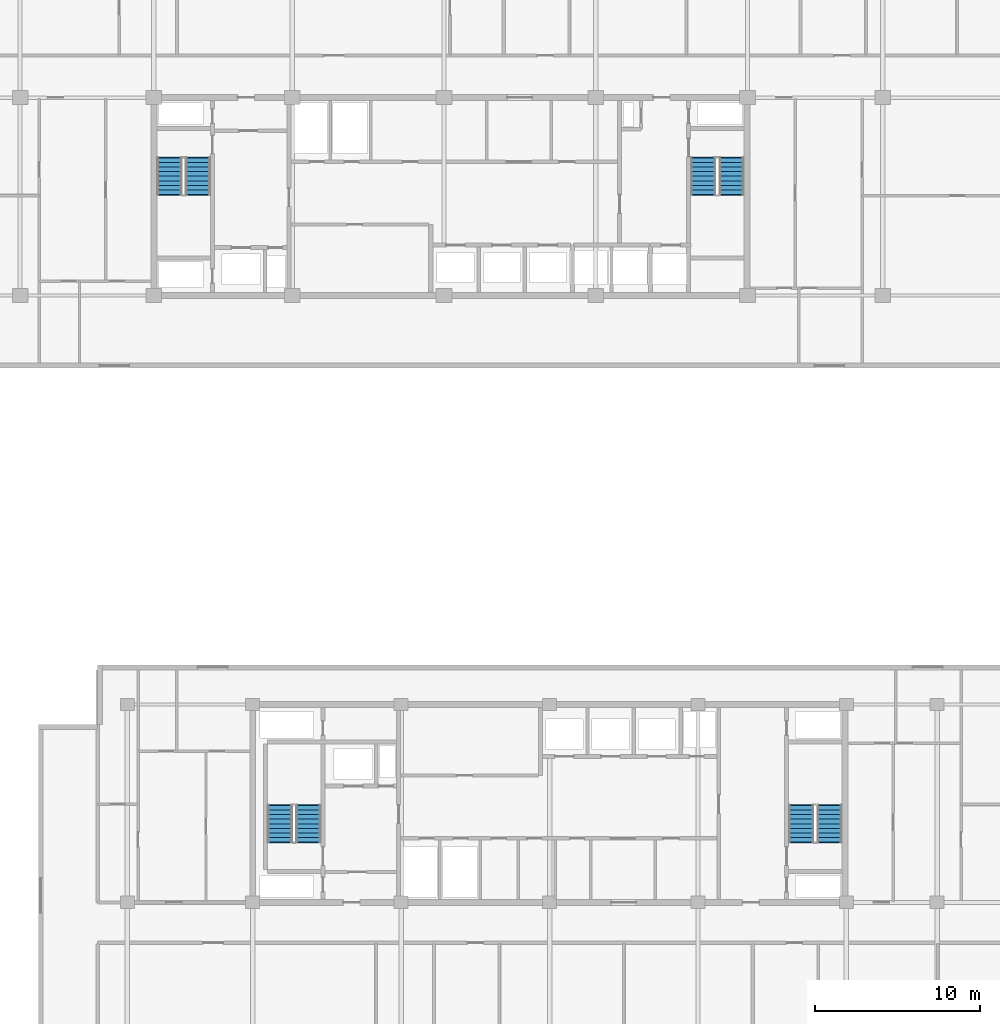
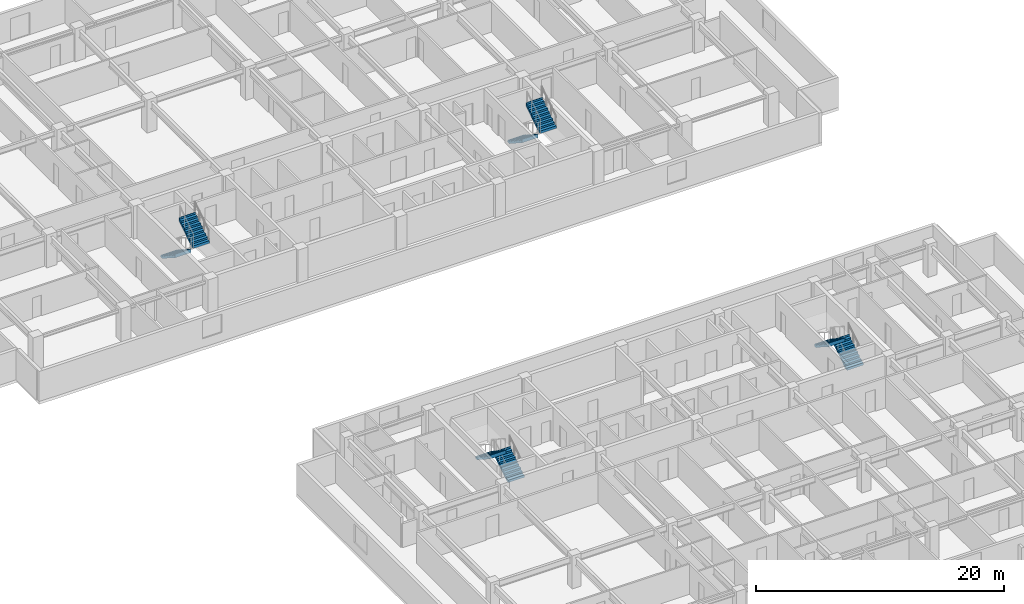
# One storey, part 16 of 21: 8 stair flights, 4 elements without a shape of their own.
"""IFC4 building model written with IfcOpenShell, lengths in metres."""

from ifc_helpers import new_model, si_unit, direction, frame, origin, place, context, subcontext, project, spatial, polyline, outline, extrude, material, type_object, element, aggregate, save


model = new_model("IFC4")

# Units and contexts
model_context = context("Model", 3, precision=1e-05, world=origin(), true_north=direction((0.0, 1.0)))
body_context = subcontext(model_context, "Body", "Model", "MODEL_VIEW")
ifc_project = project(units=[si_unit("LENGTHUNIT", "METRE"), si_unit("AREAUNIT", "SQUARE_METRE"), si_unit("VOLUMEUNIT", "CUBIC_METRE"), si_unit("PLANEANGLEUNIT", "RADIAN"), si_unit("MASSUNIT", "GRAM", prefix="KILO")], contexts=[model_context])

# Site, building, storey
site_placement = place(None, origin())
site = spatial("IfcSite", under=ifc_project, at=site_placement, CompositionType="ELEMENT")
building_placement = place(site_placement, origin())
building = spatial("IfcBuilding", under=site, at=building_placement, Name="Korimba Cascade Residences", CompositionType="ELEMENT")
storey_placement = place(building_placement, frame((0.0, 0.0, 116.550048828125)))
storey = spatial("IfcBuildingStorey", under=building, at=storey_placement, Name="L33", CompositionType="ELEMENT", Elevation=116.550048828125)

# Stair, stair flights
ifc_material = material(Name="Concrete C50/60", Category="concrete")
stair_type_1 = type_object("IfcStairType", Name="STR-W1-18R-1806", PredefinedType="HALF_TURN_STAIR", material=ifc_material)
stair_1_placement = place(storey_placement, origin())
stair_1 = element("IfcStair", 1, at=stair_1_placement, inside=storey, type_object=stair_type_1, Name="L33 Tower 1 West Fire Stair ST-W1", PredefinedType="HALF_TURN_STAIR")
stair_flight_type = type_object("IfcStairFlightType", Name="STF-DL-18R-1806-1520", PredefinedType="STRAIGHT", material=ifc_material)
stair_flight_1_placement = place(storey_placement, frame((77.06005859375, 63.550048828125, 0.0), z_axis=(0.0, 0.0, 1.0), x_axis=(0.0, -1.0, 0.0)))
stair_flight_1 = element("IfcStairFlight", 2, at=stair_flight_1_placement, type_object=stair_flight_type, Name="ST-W1 flight 1", NumberOfRisers=9, NumberOfTreads=8, PredefinedType="STRAIGHT", RiserHeight=0.180555556, TreadLength=0.28, context=body_context, shape_type="SweptSolid", body=[
    extrude(outline(polyline([(-0.0380859375, 0.0), (0.0, 0.1806640625), (0.280029296875, 0.1806640625), (0.280029296875, 0.361083984375), (0.56005859375, 0.361083984375), (0.56005859375, 0.541748046875), (0.840087890625, 0.541748046875), (0.840087890625, 0.72216796875), (1.1201171875, 0.72216796875), (1.1201171875, 0.90283203125), (1.39990234375, 0.90283203125), (1.39990234375, 1.083251953125), (1.679931640625, 1.083251953125), (1.679931640625, 1.263916015625), (1.9599609375, 1.263916015625), (1.9599609375, 1.4443359375), (2.239990234375, 1.4443359375), (2.239990234375, 1.625), (2.278076171875, 1.625), (2.278076171875, 1.26611328125), (0.276611328125, 0.0), (0.276611328125, -0.0380859375), (-0.0380859375, -0.0380859375), (-0.0380859375, 0.0)])), frame((0.0, 0.760009765625, 0.0), z_axis=(0.0, -1.0, 0.0), x_axis=(1.0, 0.0, 0.0)), (0.0, 0.0, 1.0), 1.52001953125),
])
stair_flight_2_placement = place(storey_placement, frame((78.780029296875, 61.31005859375, 1.625), z_axis=(0.0, 0.0, 1.0), x_axis=(0.0, 1.0, 0.0)))
stair_flight_2 = element("IfcStairFlight", 3, at=stair_flight_2_placement, type_object=stair_flight_type, Name="ST-W1 flight 2", NumberOfRisers=9, NumberOfTreads=8, PredefinedType="STRAIGHT", RiserHeight=0.180555556, TreadLength=0.28, context=body_context, shape_type="SweptSolid", body=[
    extrude(outline(polyline([(-0.0380859375, 0.0), (0.0, 0.1806640625), (0.280029296875, 0.1806640625), (0.280029296875, 0.361083984375), (0.56005859375, 0.361083984375), (0.56005859375, 0.541748046875), (0.840087890625, 0.541748046875), (0.840087890625, 0.72216796875), (1.1201171875, 0.72216796875), (1.1201171875, 0.90283203125), (1.39990234375, 0.90283203125), (1.39990234375, 1.083251953125), (1.679931640625, 1.083251953125), (1.679931640625, 1.263916015625), (1.9599609375, 1.263916015625), (1.9599609375, 1.4443359375), (2.239990234375, 1.4443359375), (2.239990234375, 1.625), (2.278076171875, 1.625), (2.278076171875, 1.26611328125), (0.276611328125, 0.0), (0.276611328125, -0.0380859375), (-0.0380859375, -0.0380859375), (-0.0380859375, 0.0)])), frame((0.0, 0.760009765625, 0.0), z_axis=(0.0, -1.0, 0.0), x_axis=(1.0, 0.0, 0.0)), (0.0, 0.0, 1.0), 1.52001953125),
])
aggregate(stair_1, [stair_flight_1, stair_flight_2])

stair_type_2 = type_object("IfcStairType", Name="STR-W2-18R-1806", PredefinedType="HALF_TURN_STAIR", material=ifc_material)
stair_2_placement = place(storey_placement, origin())
stair_2 = element("IfcStair", 4, at=stair_2_placement, inside=storey, type_object=stair_type_2, Name="L33 Tower 1 East Fire Stair ST-W2", PredefinedType="HALF_TURN_STAIR")
stair_flight_3_placement = place(storey_placement, frame((109.419921875, 63.550048828125, 0.0), z_axis=(0.0, 0.0, 1.0), x_axis=(0.0, -1.0, 0.0)))
stair_flight_3 = element("IfcStairFlight", 5, at=stair_flight_3_placement, type_object=stair_flight_type, Name="ST-W2 flight 1", NumberOfRisers=9, NumberOfTreads=8, PredefinedType="STRAIGHT", RiserHeight=0.180555556, TreadLength=0.28, context=body_context, shape_type="SweptSolid", body=[
    extrude(outline(polyline([(-0.0380859375, 0.0), (0.0, 0.1806640625), (0.280029296875, 0.1806640625), (0.280029296875, 0.361083984375), (0.56005859375, 0.361083984375), (0.56005859375, 0.541748046875), (0.840087890625, 0.541748046875), (0.840087890625, 0.72216796875), (1.1201171875, 0.72216796875), (1.1201171875, 0.90283203125), (1.39990234375, 0.90283203125), (1.39990234375, 1.083251953125), (1.679931640625, 1.083251953125), (1.679931640625, 1.263916015625), (1.9599609375, 1.263916015625), (1.9599609375, 1.4443359375), (2.239990234375, 1.4443359375), (2.239990234375, 1.625), (2.278076171875, 1.625), (2.278076171875, 1.26611328125), (0.276611328125, 0.0), (0.276611328125, -0.0380859375), (-0.0380859375, -0.0380859375), (-0.0380859375, 0.0)])), frame((0.0, 0.760009765625, 0.0), z_axis=(0.0, -1.0, 0.0), x_axis=(1.0, 0.0, 0.0)), (0.0, 0.0, 1.0), 1.52001953125),
])
stair_flight_4_placement = place(storey_placement, frame((111.139892578125, 61.31005859375, 1.625), z_axis=(0.0, 0.0, 1.0), x_axis=(0.0, 1.0, 0.0)))
stair_flight_4 = element("IfcStairFlight", 6, at=stair_flight_4_placement, type_object=stair_flight_type, Name="ST-W2 flight 2", NumberOfRisers=9, NumberOfTreads=8, PredefinedType="STRAIGHT", RiserHeight=0.180555556, TreadLength=0.28, context=body_context, shape_type="SweptSolid", body=[
    extrude(outline(polyline([(-0.0380859375, 0.0), (0.0, 0.1806640625), (0.280029296875, 0.1806640625), (0.280029296875, 0.361083984375), (0.56005859375, 0.361083984375), (0.56005859375, 0.541748046875), (0.840087890625, 0.541748046875), (0.840087890625, 0.72216796875), (1.1201171875, 0.72216796875), (1.1201171875, 0.90283203125), (1.39990234375, 0.90283203125), (1.39990234375, 1.083251953125), (1.679931640625, 1.083251953125), (1.679931640625, 1.263916015625), (1.9599609375, 1.263916015625), (1.9599609375, 1.4443359375), (2.239990234375, 1.4443359375), (2.239990234375, 1.625), (2.278076171875, 1.625), (2.278076171875, 1.26611328125), (0.276611328125, 0.0), (0.276611328125, -0.0380859375), (-0.0380859375, -0.0380859375), (-0.0380859375, 0.0)])), frame((0.0, 0.760009765625, 0.0), z_axis=(0.0, -1.0, 0.0), x_axis=(1.0, 0.0, 0.0)), (0.0, 0.0, 1.0), 1.52001953125),
])
aggregate(stair_2, [stair_flight_3, stair_flight_4])

stair_type_3 = type_object("IfcStairType", Name="STR-E1-18R-1806", PredefinedType="HALF_TURN_STAIR", material=ifc_material)
stair_3_placement = place(storey_placement, origin())
stair_3 = element("IfcStair", 7, at=stair_3_placement, inside=storey, type_object=stair_type_3, Name="L33 Tower 2 West Fire Stair ST-E1", PredefinedType="HALF_TURN_STAIR")
stair_flight_5_placement = place(storey_placement, frame((85.47998046875, 22.050048828125, 0.0), z_axis=(0.0, 0.0, 1.0), x_axis=(0.0, 1.0, 0.0)))
stair_flight_5 = element("IfcStairFlight", 8, at=stair_flight_5_placement, type_object=stair_flight_type, Name="ST-E1 flight 1", NumberOfRisers=9, NumberOfTreads=8, PredefinedType="STRAIGHT", RiserHeight=0.180555556, TreadLength=0.28, context=body_context, shape_type="SweptSolid", body=[
    extrude(outline(polyline([(-0.0380859375, 0.0), (0.0, 0.1806640625), (0.280029296875, 0.1806640625), (0.280029296875, 0.361083984375), (0.56005859375, 0.361083984375), (0.56005859375, 0.541748046875), (0.840087890625, 0.541748046875), (0.840087890625, 0.72216796875), (1.1201171875, 0.72216796875), (1.1201171875, 0.90283203125), (1.39990234375, 0.90283203125), (1.39990234375, 1.083251953125), (1.679931640625, 1.083251953125), (1.679931640625, 1.263916015625), (1.9599609375, 1.263916015625), (1.9599609375, 1.4443359375), (2.239990234375, 1.4443359375), (2.239990234375, 1.625), (2.278076171875, 1.625), (2.278076171875, 1.26611328125), (0.276611328125, 0.0), (0.276611328125, -0.0380859375), (-0.0380859375, -0.0380859375), (-0.0380859375, 0.0)])), frame((0.0, 0.760009765625, 0.0), z_axis=(0.0, -1.0, 0.0), x_axis=(1.0, 0.0, 0.0)), (0.0, 0.0, 1.0), 1.52001953125),
])
stair_flight_6_placement = place(storey_placement, frame((83.760009765625, 24.2900390625, 1.625), z_axis=(0.0, 0.0, 1.0), x_axis=(0.0, -1.0, 0.0)))
stair_flight_6 = element("IfcStairFlight", 9, at=stair_flight_6_placement, type_object=stair_flight_type, Name="ST-E1 flight 2", NumberOfRisers=9, NumberOfTreads=8, PredefinedType="STRAIGHT", RiserHeight=0.180555556, TreadLength=0.28, context=body_context, shape_type="SweptSolid", body=[
    extrude(outline(polyline([(-0.0380859375, 0.0), (0.0, 0.1806640625), (0.280029296875, 0.1806640625), (0.280029296875, 0.361083984375), (0.56005859375, 0.361083984375), (0.56005859375, 0.541748046875), (0.840087890625, 0.541748046875), (0.840087890625, 0.72216796875), (1.1201171875, 0.72216796875), (1.1201171875, 0.90283203125), (1.39990234375, 0.90283203125), (1.39990234375, 1.083251953125), (1.679931640625, 1.083251953125), (1.679931640625, 1.263916015625), (1.9599609375, 1.263916015625), (1.9599609375, 1.4443359375), (2.239990234375, 1.4443359375), (2.239990234375, 1.625), (2.278076171875, 1.625), (2.278076171875, 1.26611328125), (0.276611328125, 0.0), (0.276611328125, -0.0380859375), (-0.0380859375, -0.0380859375), (-0.0380859375, 0.0)])), frame((0.0, 0.760009765625, 0.0), z_axis=(0.0, -1.0, 0.0), x_axis=(1.0, 0.0, 0.0)), (0.0, 0.0, 1.0), 1.52001953125),
])
aggregate(stair_3, [stair_flight_5, stair_flight_6])

stair_type_4 = type_object("IfcStairType", Name="STR-E2-18R-1806", PredefinedType="HALF_TURN_STAIR", material=ifc_material)
stair_4_placement = place(storey_placement, origin())
stair_4 = element("IfcStair", 10, at=stair_4_placement, inside=storey, type_object=stair_type_4, Name="L33 Tower 2 East Fire Stair ST-E2", PredefinedType="HALF_TURN_STAIR")
stair_flight_7_placement = place(storey_placement, frame((117.080078125, 22.050048828125, 0.0), z_axis=(0.0, 0.0, 1.0), x_axis=(0.0, 1.0, 0.0)))
stair_flight_7 = element("IfcStairFlight", 11, at=stair_flight_7_placement, type_object=stair_flight_type, Name="ST-E2 flight 1", NumberOfRisers=9, NumberOfTreads=8, PredefinedType="STRAIGHT", RiserHeight=0.180555556, TreadLength=0.28, context=body_context, shape_type="SweptSolid", body=[
    extrude(outline(polyline([(-0.0380859375, 0.0), (0.0, 0.1806640625), (0.280029296875, 0.1806640625), (0.280029296875, 0.361083984375), (0.56005859375, 0.361083984375), (0.56005859375, 0.541748046875), (0.840087890625, 0.541748046875), (0.840087890625, 0.72216796875), (1.1201171875, 0.72216796875), (1.1201171875, 0.90283203125), (1.39990234375, 0.90283203125), (1.39990234375, 1.083251953125), (1.679931640625, 1.083251953125), (1.679931640625, 1.263916015625), (1.9599609375, 1.263916015625), (1.9599609375, 1.4443359375), (2.239990234375, 1.4443359375), (2.239990234375, 1.625), (2.278076171875, 1.625), (2.278076171875, 1.26611328125), (0.276611328125, 0.0), (0.276611328125, -0.0380859375), (-0.0380859375, -0.0380859375), (-0.0380859375, 0.0)])), frame((0.0, 0.760009765625, 0.0), z_axis=(0.0, -1.0, 0.0), x_axis=(1.0, 0.0, 0.0)), (0.0, 0.0, 1.0), 1.52001953125),
])
stair_flight_8_placement = place(storey_placement, frame((115.360107421875, 24.2900390625, 1.625), z_axis=(0.0, 0.0, 1.0), x_axis=(0.0, -1.0, 0.0)))
stair_flight_8 = element("IfcStairFlight", 12, at=stair_flight_8_placement, type_object=stair_flight_type, Name="ST-E2 flight 2", NumberOfRisers=9, NumberOfTreads=8, PredefinedType="STRAIGHT", RiserHeight=0.180555556, TreadLength=0.28, context=body_context, shape_type="SweptSolid", body=[
    extrude(outline(polyline([(-0.0380859375, 0.0), (0.0, 0.1806640625), (0.280029296875, 0.1806640625), (0.280029296875, 0.361083984375), (0.56005859375, 0.361083984375), (0.56005859375, 0.541748046875), (0.840087890625, 0.541748046875), (0.840087890625, 0.72216796875), (1.1201171875, 0.72216796875), (1.1201171875, 0.90283203125), (1.39990234375, 0.90283203125), (1.39990234375, 1.083251953125), (1.679931640625, 1.083251953125), (1.679931640625, 1.263916015625), (1.9599609375, 1.263916015625), (1.9599609375, 1.4443359375), (2.239990234375, 1.4443359375), (2.239990234375, 1.625), (2.278076171875, 1.625), (2.278076171875, 1.26611328125), (0.276611328125, 0.0), (0.276611328125, -0.0380859375), (-0.0380859375, -0.0380859375), (-0.0380859375, 0.0)])), frame((0.0, 0.760009765625, 0.0), z_axis=(0.0, -1.0, 0.0), x_axis=(1.0, 0.0, 0.0)), (0.0, 0.0, 1.0), 1.52001953125),
])
aggregate(stair_4, [stair_flight_7, stair_flight_8])

save(model, "model.ifc")
